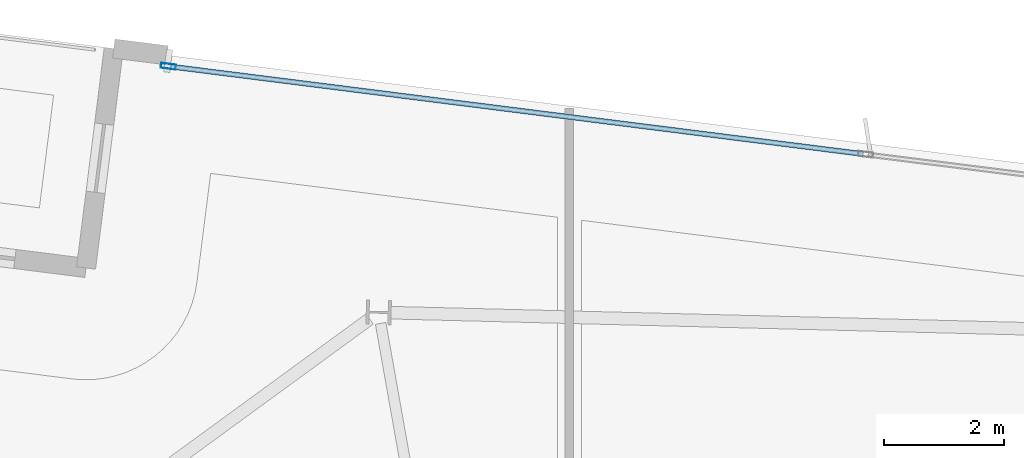
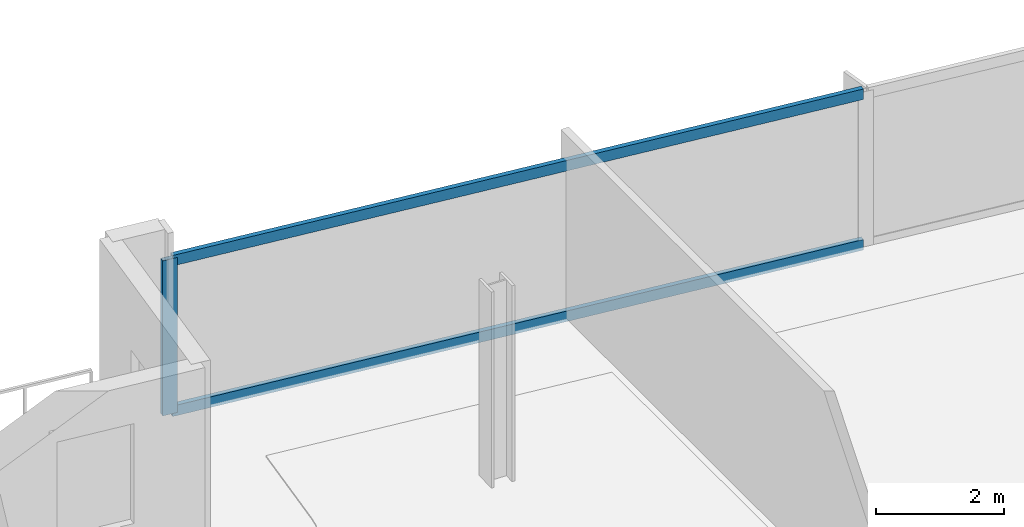
# One storey, part 14 of 23: 3 members, 1 element without a shape of its own.
"""IFC4 building model written with IfcOpenShell, lengths in metres."""

from ifc_helpers import new_model, si_unit, direction, frame, origin, origin_2d, place, context, subcontext, project, spatial, hollow_rectangle, extrude, material, material_profile, profile_set, type_object, element, aggregate, save


model = new_model("IFC4")

# Units and contexts
model_context = context("Model", 3, precision=1e-05, world=origin(), true_north=direction((0.0, 1.0)))
body_context = subcontext(model_context, "Body", "Model", "MODEL_VIEW")
ifc_project = project(units=[si_unit("LENGTHUNIT", "METRE"), si_unit("AREAUNIT", "SQUARE_METRE"), si_unit("VOLUMEUNIT", "CUBIC_METRE"), si_unit("PLANEANGLEUNIT", "RADIAN"), si_unit("MASSUNIT", "GRAM", prefix="KILO")], contexts=[model_context])

# Site, building, storey
site_placement = place(None, origin())
site = spatial("IfcSite", under=ifc_project, at=site_placement, CompositionType="ELEMENT")
building_placement = place(site_placement, origin())
building = spatial("IfcBuilding", under=site, at=building_placement, Name="Haldenkirk Collegiate Tower", CompositionType="ELEMENT")
storey_placement = place(building_placement, frame((0.0, 0.0, 306.449951171875)))
storey = spatial("IfcBuildingStorey", under=building, at=storey_placement, Name="L77", CompositionType="ELEMENT", Elevation=306.449951171875)

# Curtain wall, members
ifc_material = material(Name="Anodised architectural bronze aluminium", Category="aluminium")
curtain_wall_type = type_object("IfcCurtainWallType", Name="CW-SYS1B-CONVEX-HI", PredefinedType="USERDEFINED", material=ifc_material)
curtain_wall_placement = place(storey_placement, origin())
curtain_wall = element("IfcCurtainWall", 1, at=curtain_wall_placement, inside=storey, type_object=curtain_wall_type, Name="L77 Upper tower high-wind convex bronze unitised curtain wall", ObjectType="UNITISED CURTAIN WALL", PredefinedType="USERDEFINED")
ifc_material_profile_1 = material_profile(ifc_material, hollow_rectangle(XDim=0.0849609375, YDim=0.25, WallThickness=0.0048828125, at=origin_2d()), Name="CW-MUL-1B")
ifc_profile_set_1 = profile_set([ifc_material_profile_1], Name="Anodised architectural bronze aluminium")
member_type_1 = type_object("IfcMemberType", Name="CW-MUL-1B", PredefinedType="MULLION", material=ifc_profile_set_1)
member_1_placement = place(storey_placement, frame((21.291748046875, 50.456298828125, 0.0), z_axis=(0.0, 0.0, 1.0), x_axis=(0.125333192769, 0.992114706468, 0.0)))
member_1 = element("IfcMember", 2, at=member_1_placement, type_object=member_type_1, Name="CW-1B mullion 1", PredefinedType="MULLION", context=body_context, shape_type="SweptSolid", body=[
    extrude(hollow_rectangle(XDim=0.0849609375, YDim=0.25, WallThickness=0.0048828125, at=origin_2d()), origin(), (0.0, 0.0, 1.0), 2.947998046875),
])
ifc_material_profile_2 = material_profile(ifc_material, hollow_rectangle(XDim=0.0849609375, YDim=0.199951171875, WallThickness=0.0048828125, at=origin_2d()), Name="CW-TRN-1B")
ifc_profile_set_2 = profile_set([ifc_material_profile_2], Name="Anodised architectural bronze aluminium")
member_type_2 = type_object("IfcMemberType", Name="CW-TRN-1B", PredefinedType="USERDEFINED", material=ifc_profile_set_2)
member_2_placement = place(storey_placement, frame((21.333740234375, 50.450927734375, 0.04248046875), z_axis=(0.992115501646, -0.125326898129, 0.0), x_axis=(0.125326898129, 0.992115501646, 0.0)))
member_2 = element("IfcMember", 3, at=member_2_placement, type_object=member_type_2, Name="CW-1B transom 1.1", ObjectType="TRANSOM", PredefinedType="USERDEFINED", context=body_context, shape_type="SweptSolid", body=[
    extrude(hollow_rectangle(XDim=0.0849609375, YDim=0.199951171875, WallThickness=0.0048828125, at=origin_2d()), origin(), (0.0, 0.0, 1.0), 11.672607421875),
])
member_3_placement = place(storey_placement, frame((21.333740234375, 50.450927734375, 2.905517578125), z_axis=(0.992115501646, -0.125326898129, 0.0), x_axis=(0.125326898129, 0.992115501646, 0.0)))
member_3 = element("IfcMember", 4, at=member_3_placement, type_object=member_type_2, Name="CW-1B transom 1.2", ObjectType="TRANSOM", PredefinedType="USERDEFINED", context=body_context, shape_type="SweptSolid", body=[
    extrude(hollow_rectangle(XDim=0.0849609375, YDim=0.199951171875, WallThickness=0.0048828125, at=origin_2d()), origin(), (0.0, 0.0, 1.0), 11.672607421875),
])
aggregate(curtain_wall, [member_1, member_2, member_3])

save(model, "model.ifc")
